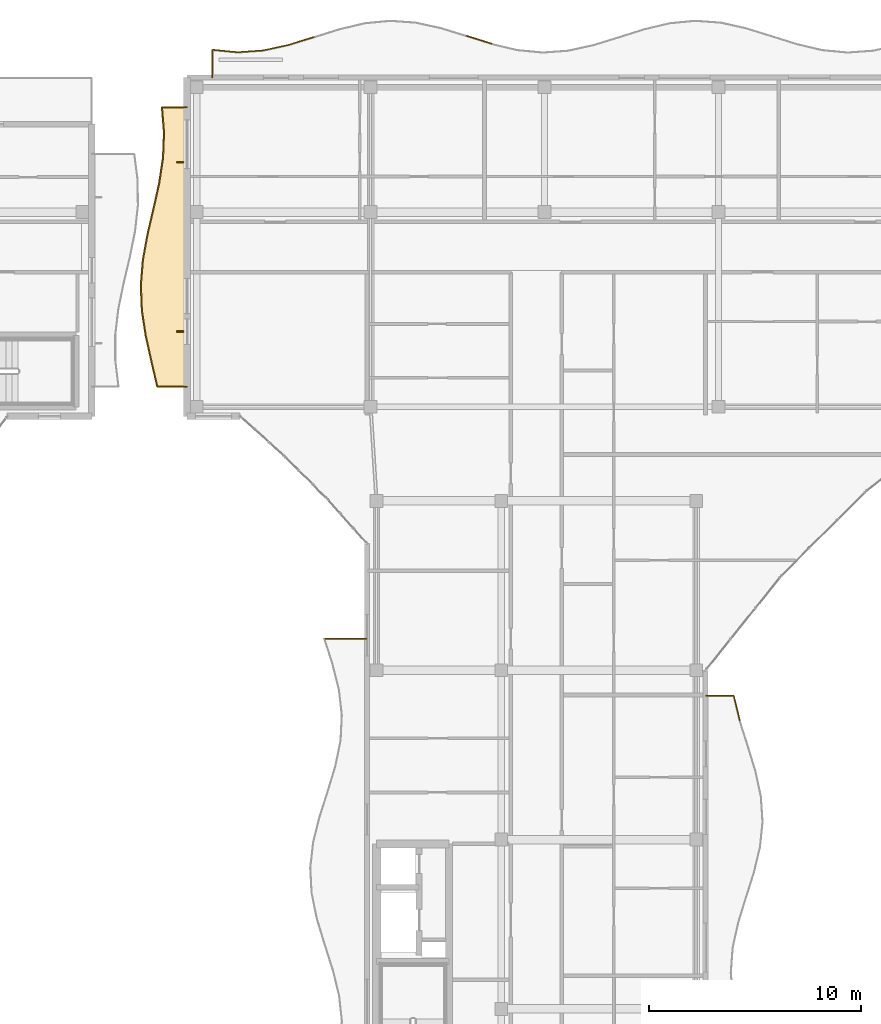
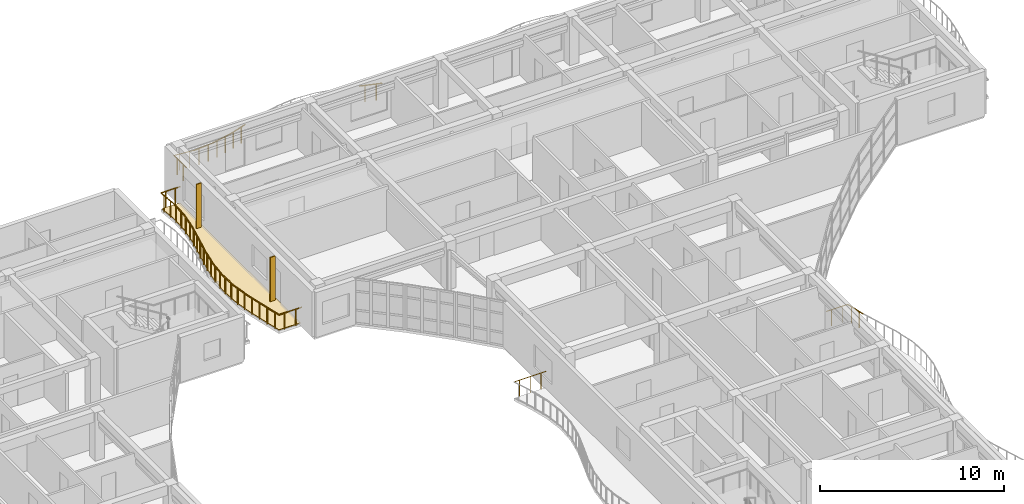
# One storey, part 55 of 71: 22 railings, 2 shading devices, 1 covering.
"""IFC4 building model written with IfcOpenShell, lengths in metres."""

from ifc_helpers import new_model, si_unit, direction, frame, origin, origin_2d, place, context, subcontext, project, spatial, polyline, rectangle, circle, outline, extrude, material, layer, layer_set, type_object, element, save


model = new_model("IFC4")

# Units and contexts
model_context = context("Model", 3, precision=1e-05, world=origin(), true_north=direction((0.0, 1.0)))
body_context = subcontext(model_context, "Body", "Model", "MODEL_VIEW")
ifc_project = project(units=[si_unit("LENGTHUNIT", "METRE"), si_unit("AREAUNIT", "SQUARE_METRE"), si_unit("VOLUMEUNIT", "CUBIC_METRE"), si_unit("PLANEANGLEUNIT", "RADIAN"), si_unit("MASSUNIT", "GRAM", prefix="KILO")], contexts=[model_context])

# Site, building, storey
site_placement = place(None, origin())
site = spatial("IfcSite", under=ifc_project, at=site_placement, CompositionType="ELEMENT")
building_placement = place(site_placement, origin())
building = spatial("IfcBuilding", under=site, at=building_placement, Name="Keldmere Railside Commons", CompositionType="ELEMENT")
storey_placement = place(building_placement, frame((0.0, 0.0, 20.159912109375)))
storey = spatial("IfcBuildingStorey", under=building, at=storey_placement, Name="L06", CompositionType="ELEMENT", Elevation=20.159912109375)

# Railings
ifc_material_1 = material(Name="Steel F-24 (S235)", Category="steel")
railing_type = type_object("IfcRailingType", Name="Balcony & Terrace Steel Balustrade 1100", PredefinedType="BALUSTRADE", material=ifc_material_1)
railing_1_placement = place(storey_placement, frame((40.699951171875, 116.0, 0.0)))
element("IfcRailing", 1, at=railing_1_placement, inside=storey, type_object=railing_type, Name="GR-1 GRD-L06-1435", PredefinedType="BALUSTRADE", context=body_context, shape_type="SweptSolid", body=[
    extrude(circle(Radius=0.02392578125, at=origin_2d()), frame((0.0, 0.0, 1.076171875), z_axis=(0.0, 1.0, 0.0), x_axis=(-1.0, 0.0, 0.0)), (0.0, 0.0, 1.0), 1.3154296875),
    extrude(circle(Radius=0.02099609375, at=origin_2d()), frame((0.0, 0.328857421875, 0.0)), (0.0, 0.0, 1.0), 1.048095703125),
    extrude(circle(Radius=0.02099609375, at=origin_2d()), frame((0.0, 0.986572265625, 0.0)), (0.0, 0.0, 1.0), 1.048095703125),
])
railing_2_placement = place(storey_placement, frame((40.699951171875, 117.3154296875, 0.0)))
element("IfcRailing", 2, at=railing_2_placement, inside=storey, type_object=railing_type, Name="GR-1 GRD-L06-1436", PredefinedType="BALUSTRADE", context=body_context, shape_type="SweptSolid", body=[
    extrude(circle(Radius=0.02392578125, at=origin_2d()), frame((0.0, 0.0, 1.076171875), z_axis=(0.995458988415, -0.095191398689, 0.0), x_axis=(0.095191398689, 0.995458988415, 0.0)), (0.0, 0.0, 1.0), 1.205322265625),
    extrude(circle(Radius=0.02099609375, at=origin_2d()), frame((0.300048828125, -0.02880859375, 0.0)), (0.0, 0.0, 1.0), 1.048095703125),
    extrude(circle(Radius=0.02099609375, at=origin_2d()), frame((0.89990234375, -0.0859375, 0.0)), (0.0, 0.0, 1.0), 1.048095703125),
])
railing_3_placement = place(storey_placement, frame((41.89990234375, 117.20068359375, 0.0)))
element("IfcRailing", 3, at=railing_3_placement, inside=storey, type_object=railing_type, Name="GR-1 GRD-L06-1437", PredefinedType="BALUSTRADE", context=body_context, shape_type="SweptSolid", body=[
    extrude(circle(Radius=0.02392578125, at=origin_2d()), frame((0.0, 0.0, 1.076171875), z_axis=(0.997460759321, 0.071218211253, 0.0), x_axis=(-0.071218211253, 0.997460759321, 0.0)), (0.0, 0.0, 1.0), 1.203369140625),
    extrude(circle(Radius=0.02099609375, at=origin_2d()), frame((0.300048828125, 0.021484375, 0.0)), (0.0, 0.0, 1.0), 1.048095703125),
    extrude(circle(Radius=0.02099609375, at=origin_2d()), frame((0.900146484375, 0.064208984375, 0.0)), (0.0, 0.0, 1.0), 1.048095703125),
])
railing_4_placement = place(storey_placement, frame((43.10009765625, 117.286376953125, 0.0)))
element("IfcRailing", 4, at=railing_4_placement, inside=storey, type_object=railing_type, Name="GR-1 GRD-L06-1438", PredefinedType="BALUSTRADE", context=body_context, shape_type="SweptSolid", body=[
    extrude(circle(Radius=0.02392578125, at=origin_2d()), frame((0.0, 0.0, 1.076171875), z_axis=(0.976698645206, 0.214615368631, 0.0), x_axis=(-0.214615368631, 0.976698645206, 0.0)), (0.0, 0.0, 1.0), 1.228515625),
    extrude(circle(Radius=0.02099609375, at=origin_2d()), frame((0.300048828125, 0.06591796875, 0.0)), (0.0, 0.0, 1.0), 1.048095703125),
    extrude(circle(Radius=0.02099609375, at=origin_2d()), frame((0.89990234375, 0.19775390625, 0.0)), (0.0, 0.0, 1.0), 1.048095703125),
])
railing_5_placement = place(storey_placement, frame((44.300048828125, 117.550048828125, 0.0)))
element("IfcRailing", 5, at=railing_5_placement, inside=storey, type_object=railing_type, Name="GR-1 GRD-L06-1439", PredefinedType="BALUSTRADE", context=body_context, shape_type="SweptSolid", body=[
    extrude(circle(Radius=0.02392578125, at=origin_2d()), frame((0.0, 0.0, 1.076171875), z_axis=(0.955412612016, 0.295274009695, 0.0), x_axis=(-0.295274009695, 0.955412612016, 0.0)), (0.0, 0.0, 1.0), 1.255859375),
    extrude(circle(Radius=0.02099609375, at=origin_2d()), frame((0.300048828125, 0.0927734375, 0.0)), (0.0, 0.0, 1.0), 1.048095703125),
    extrude(circle(Radius=0.02099609375, at=origin_2d()), frame((0.89990234375, 0.278076171875, 0.0)), (0.0, 0.0, 1.0), 1.048095703125),
])
railing_6_placement = place(storey_placement, frame((52.699951171875, 117.97900390625, 0.0)))
element("IfcRailing", 6, at=railing_6_placement, inside=storey, type_object=railing_type, Name="GR-1 GRD-L06-1446", PredefinedType="BALUSTRADE", context=body_context, shape_type="SweptSolid", body=[
    extrude(circle(Radius=0.02392578125, at=origin_2d()), frame((0.0, 0.0, 1.076171875), z_axis=(0.953699895739, -0.300759885736, 0.0), x_axis=(0.300759885736, 0.953699895739, 0.0)), (0.0, 0.0, 1.0), 1.25830078125),
    extrude(circle(Radius=0.02099609375, at=origin_2d()), frame((0.300048828125, -0.0947265625, 0.0)), (0.0, 0.0, 1.0), 1.048095703125),
    extrude(circle(Radius=0.02099609375, at=origin_2d()), frame((0.89990234375, -0.28369140625, 0.0)), (0.0, 0.0, 1.0), 1.048095703125),
])
railing_7_placement = place(storey_placement, frame((65.620849609375, 85.609130859375, 0.0)))
element("IfcRailing", 7, at=railing_7_placement, inside=storey, type_object=railing_type, Name="GR-1 GRD-L06-1492", PredefinedType="BALUSTRADE", context=body_context, shape_type="SweptSolid", body=[
    extrude(circle(Radius=0.02392578125, at=origin_2d()), frame((0.0, 0.0, 1.076171875), z_axis=(-0.23756583201, 0.971371440522, 0.0), x_axis=(-0.971371440522, -0.23756583201, 0.0)), (0.0, 0.0, 1.0), 1.22607421875),
    extrude(circle(Radius=0.02099609375, at=origin_2d()), frame((-0.07275390625, 0.2978515625, 0.0)), (0.0, 0.0, 1.0), 1.048095703125),
    extrude(circle(Radius=0.02099609375, at=origin_2d()), frame((-0.218505859375, 0.89306640625, 0.0)), (0.0, 0.0, 1.0), 1.048095703125),
])
railing_8_placement = place(storey_placement, frame((65.32958984375, 86.800048828125, 0.0)))
element("IfcRailing", 8, at=railing_8_placement, inside=storey, type_object=railing_type, Name="GR-1 GRD-L06-1493", PredefinedType="BALUSTRADE", context=body_context, shape_type="SweptSolid", body=[
    extrude(circle(Radius=0.02392578125, at=origin_2d()), frame((0.0, 0.0, 1.076171875), z_axis=(-1.0, 0.0, 0.0), x_axis=(0.0, -1.0, 0.0)), (0.0, 0.0, 1.0), 1.32958984375),
    extrude(circle(Radius=0.02099609375, at=origin_2d()), frame((-0.33251953125, 0.0, 0.0)), (0.0, 0.0, 1.0), 1.048095703125),
    extrude(circle(Radius=0.02099609375, at=origin_2d()), frame((-0.9970703125, 0.0, 0.0)), (0.0, 0.0, 1.0), 1.048095703125),
])
railing_9_placement = place(storey_placement, frame((45.96728515625, 89.5, 0.0)))
element("IfcRailing", 9, at=railing_9_placement, inside=storey, type_object=railing_type, Name="GR-1 GRD-L06-1519", PredefinedType="BALUSTRADE", context=body_context, shape_type="SweptSolid", body=[
    extrude(circle(Radius=0.02392578125, at=origin_2d()), frame((0.0, 0.0, 1.076171875), z_axis=(1.0, 0.0, 0.0), x_axis=(0.0, 1.0, 0.0)), (0.0, 0.0, 1.0), 2.03271484375),
    extrude(circle(Radius=0.02099609375, at=origin_2d()), frame((0.3388671875, 0.0, 0.0)), (0.0, 0.0, 1.0), 1.048095703125),
    extrude(circle(Radius=0.02099609375, at=origin_2d()), frame((1.016357421875, 0.0, 0.0)), (0.0, 0.0, 1.0), 1.048095703125),
    extrude(circle(Radius=0.02099609375, at=origin_2d()), frame((1.69384765625, 0.0, 0.0)), (0.0, 0.0, 1.0), 1.048095703125),
])
railing_10_placement = place(storey_placement, frame((39.5, 101.39990234375, 0.0)))
element("IfcRailing", 10, at=railing_10_placement, inside=storey, type_object=railing_type, Name="GR-1 GRD-L06-1533", PredefinedType="BALUSTRADE", context=body_context, shape_type="SweptSolid", body=[
    extrude(circle(Radius=0.02392578125, at=origin_2d()), frame((0.0, 0.0, 1.076171875), z_axis=(-1.0, 0.0, 0.0), x_axis=(0.0, -1.0, 0.0)), (0.0, 0.0, 1.0), 1.419189453125),
    extrude(circle(Radius=0.02099609375, at=origin_2d()), frame((-0.354736328125, 0.0, 0.0)), (0.0, 0.0, 1.0), 1.048095703125),
    extrude(circle(Radius=0.02099609375, at=origin_2d()), frame((-1.064453125, 0.0, 0.0)), (0.0, 0.0, 1.0), 1.048095703125),
])
railing_11_placement = place(storey_placement, frame((38.080810546875, 101.39990234375, 0.0)))
element("IfcRailing", 11, at=railing_11_placement, inside=storey, type_object=railing_type, Name="GR-1 GRD-L06-1534", PredefinedType="BALUSTRADE", context=body_context, shape_type="SweptSolid", body=[
    extrude(circle(Radius=0.02392578125, at=origin_2d()), frame((0.0, 0.0, 1.076171875), z_axis=(-0.227592779439, 0.973756400106, 0.0), x_axis=(-0.973756400106, -0.227592779439, 0.0)), (0.0, 0.0, 1.0), 1.232421875),
    extrude(circle(Radius=0.02099609375, at=origin_2d()), frame((-0.070068359375, 0.300048828125, 0.0)), (0.0, 0.0, 1.0), 1.048095703125),
    extrude(circle(Radius=0.02099609375, at=origin_2d()), frame((-0.21044921875, 0.900146484375, 0.0)), (0.0, 0.0, 1.0), 1.048095703125),
])
railing_12_placement = place(storey_placement, frame((37.80029296875, 102.60009765625, 0.0)))
element("IfcRailing", 12, at=railing_12_placement, inside=storey, type_object=railing_type, Name="GR-1 GRD-L06-1535", PredefinedType="BALUSTRADE", context=body_context, shape_type="SweptSolid", body=[
    extrude(circle(Radius=0.02392578125, at=origin_2d()), frame((0.0, 0.0, 1.076171875), z_axis=(-0.217266894367, 0.976112235663, 0.0), x_axis=(-0.976112235663, -0.217266894367, 0.0)), (0.0, 0.0, 1.0), 1.229248046875),
    extrude(circle(Radius=0.02099609375, at=origin_2d()), frame((-0.06689453125, 0.300048828125, 0.0)), (0.0, 0.0, 1.0), 1.048095703125),
    extrude(circle(Radius=0.02099609375, at=origin_2d()), frame((-0.2001953125, 0.89990234375, 0.0)), (0.0, 0.0, 1.0), 1.048095703125),
])
railing_13_placement = place(storey_placement, frame((37.533203125, 103.800048828125, 0.0)))
element("IfcRailing", 13, at=railing_13_placement, inside=storey, type_object=railing_type, Name="GR-1 GRD-L06-1536", PredefinedType="BALUSTRADE", context=body_context, shape_type="SweptSolid", body=[
    extrude(circle(Radius=0.02392578125, at=origin_2d()), frame((0.0, 0.0, 1.076171875), z_axis=(-0.15025821956, 0.988646785993, 0.0), x_axis=(-0.988646785993, -0.15025821956, 0.0)), (0.0, 0.0, 1.0), 1.213623046875),
    extrude(circle(Radius=0.02099609375, at=origin_2d()), frame((-0.045654296875, 0.300048828125, 0.0)), (0.0, 0.0, 1.0), 1.048095703125),
    extrude(circle(Radius=0.02099609375, at=origin_2d()), frame((-0.13671875, 0.89990234375, 0.0)), (0.0, 0.0, 1.0), 1.048095703125),
])
railing_14_placement = place(storey_placement, frame((37.350830078125, 105.0, 0.0)))
element("IfcRailing", 14, at=railing_14_placement, inside=storey, type_object=railing_type, Name="GR-1 GRD-L06-1537", PredefinedType="BALUSTRADE", context=body_context, shape_type="SweptSolid", body=[
    extrude(circle(Radius=0.02392578125, at=origin_2d()), frame((0.0, 0.0, 1.076171875), z_axis=(-0.040455155578, 0.999181355104, 0.0), x_axis=(-0.999181355104, -0.040455155578, 0.0)), (0.0, 0.0, 1.0), 1.200927734375),
    extrude(circle(Radius=0.02099609375, at=origin_2d()), frame((-0.01220703125, 0.300048828125, 0.0)), (0.0, 0.0, 1.0), 1.048095703125),
    extrude(circle(Radius=0.02099609375, at=origin_2d()), frame((-0.036376953125, 0.89990234375, 0.0)), (0.0, 0.0, 1.0), 1.048095703125),
])
railing_15_placement = place(storey_placement, frame((37.30224609375, 106.199951171875, 0.0)))
element("IfcRailing", 15, at=railing_15_placement, inside=storey, type_object=railing_type, Name="GR-1 GRD-L06-1538", PredefinedType="BALUSTRADE", context=body_context, shape_type="SweptSolid", body=[
    extrude(circle(Radius=0.02392578125, at=origin_2d()), frame((0.0, 0.0, 1.076171875), z_axis=(0.08151822668, 0.996671851072, 0.0), x_axis=(-0.996671851072, 0.08151822668, 0.0)), (0.0, 0.0, 1.0), 1.203857421875),
    extrude(circle(Radius=0.02099609375, at=origin_2d()), frame((0.0244140625, 0.300048828125, 0.0)), (0.0, 0.0, 1.0), 1.048095703125),
    extrude(circle(Radius=0.02099609375, at=origin_2d()), frame((0.07373046875, 0.89990234375, 0.0)), (0.0, 0.0, 1.0), 1.048095703125),
])
railing_16_placement = place(storey_placement, frame((37.400390625, 107.39990234375, 0.0)))
element("IfcRailing", 16, at=railing_16_placement, inside=storey, type_object=railing_type, Name="GR-1 GRD-L06-1539", PredefinedType="BALUSTRADE", context=body_context, shape_type="SweptSolid", body=[
    extrude(circle(Radius=0.02392578125, at=origin_2d()), frame((0.0, 0.0, 1.076171875), z_axis=(0.179308076446, 0.983792972999, 0.0), x_axis=(-0.983792972999, 0.179308076446, 0.0)), (0.0, 0.0, 1.0), 1.219970703125),
    extrude(circle(Radius=0.02099609375, at=origin_2d()), frame((0.0546875, 0.300048828125, 0.0)), (0.0, 0.0, 1.0), 1.048095703125),
    extrude(circle(Radius=0.02099609375, at=origin_2d()), frame((0.1640625, 0.900146484375, 0.0)), (0.0, 0.0, 1.0), 1.048095703125),
])
railing_17_placement = place(storey_placement, frame((37.619140625, 108.60009765625, 0.0)))
element("IfcRailing", 17, at=railing_17_placement, inside=storey, type_object=railing_type, Name="GR-1 GRD-L06-1540", PredefinedType="BALUSTRADE", context=body_context, shape_type="SweptSolid", body=[
    extrude(circle(Radius=0.02392578125, at=origin_2d()), frame((0.0, 0.0, 1.076171875), z_axis=(0.227636685931, 0.973746136947, 0.0), x_axis=(-0.973746136947, 0.227636685931, 0.0)), (0.0, 0.0, 1.0), 1.232421875),
    extrude(circle(Radius=0.02099609375, at=origin_2d()), frame((0.070068359375, 0.300048828125, 0.0)), (0.0, 0.0, 1.0), 1.048095703125),
    extrude(circle(Radius=0.02099609375, at=origin_2d()), frame((0.21044921875, 0.89990234375, 0.0)), (0.0, 0.0, 1.0), 1.048095703125),
])
railing_18_placement = place(storey_placement, frame((37.899658203125, 109.800048828125, 0.0)))
element("IfcRailing", 18, at=railing_18_placement, inside=storey, type_object=railing_type, Name="GR-1 GRD-L06-1541", PredefinedType="BALUSTRADE", context=body_context, shape_type="SweptSolid", body=[
    extrude(circle(Radius=0.02392578125, at=origin_2d()), frame((0.0, 0.0, 1.076171875), z_axis=(0.217456105912, 0.976070100967, 0.0), x_axis=(-0.976070100967, 0.217456105912, 0.0)), (0.0, 0.0, 1.0), 1.229248046875),
    extrude(circle(Radius=0.02099609375, at=origin_2d()), frame((0.06689453125, 0.300048828125, 0.0)), (0.0, 0.0, 1.0), 1.048095703125),
    extrude(circle(Radius=0.02099609375, at=origin_2d()), frame((0.200439453125, 0.89990234375, 0.0)), (0.0, 0.0, 1.0), 1.048095703125),
])
railing_19_placement = place(storey_placement, frame((38.1669921875, 111.0, 0.0)))
element("IfcRailing", 19, at=railing_19_placement, inside=storey, type_object=railing_type, Name="GR-1 GRD-L06-1542", PredefinedType="BALUSTRADE", context=body_context, shape_type="SweptSolid", body=[
    extrude(circle(Radius=0.02392578125, at=origin_2d()), frame((0.0, 0.0, 1.076171875), z_axis=(0.150061603207, 0.988676648477, 0.0), x_axis=(-0.988676648477, 0.150061603207, 0.0)), (0.0, 0.0, 1.0), 1.213623046875),
    extrude(circle(Radius=0.02099609375, at=origin_2d()), frame((0.04541015625, 0.300048828125, 0.0)), (0.0, 0.0, 1.0), 1.048095703125),
    extrude(circle(Radius=0.02099609375, at=origin_2d()), frame((0.13671875, 0.89990234375, 0.0)), (0.0, 0.0, 1.0), 1.048095703125),
])
railing_20_placement = place(storey_placement, frame((38.34912109375, 112.199951171875, 0.0)))
element("IfcRailing", 20, at=railing_20_placement, inside=storey, type_object=railing_type, Name="GR-1 GRD-L06-1543", PredefinedType="BALUSTRADE", context=body_context, shape_type="SweptSolid", body=[
    extrude(circle(Radius=0.02392578125, at=origin_2d()), frame((0.0, 0.0, 1.076171875), z_axis=(0.040455155578, 0.999181355104, 0.0), x_axis=(-0.999181355104, 0.040455155578, 0.0)), (0.0, 0.0, 1.0), 1.200927734375),
    extrude(circle(Radius=0.02099609375, at=origin_2d()), frame((0.01220703125, 0.300048828125, 0.0)), (0.0, 0.0, 1.0), 1.048095703125),
    extrude(circle(Radius=0.02099609375, at=origin_2d()), frame((0.036376953125, 0.89990234375, 0.0)), (0.0, 0.0, 1.0), 1.048095703125),
])
railing_21_placement = place(storey_placement, frame((38.397705078125, 113.39990234375, 0.0)))
element("IfcRailing", 21, at=railing_21_placement, inside=storey, type_object=railing_type, Name="GR-1 GRD-L06-1544", PredefinedType="BALUSTRADE", context=body_context, shape_type="SweptSolid", body=[
    extrude(circle(Radius=0.02392578125, at=origin_2d()), frame((0.0, 0.0, 1.076171875), z_axis=(-0.081501754612, 0.996673198192, 0.0), x_axis=(-0.996673198192, -0.081501754612, 0.0)), (0.0, 0.0, 1.0), 1.2041015625),
    extrude(circle(Radius=0.02099609375, at=origin_2d()), frame((-0.0244140625, 0.300048828125, 0.0)), (0.0, 0.0, 1.0), 1.048095703125),
    extrude(circle(Radius=0.02099609375, at=origin_2d()), frame((-0.07373046875, 0.900146484375, 0.0)), (0.0, 0.0, 1.0), 1.048095703125),
])
railing_22_placement = place(storey_placement, frame((38.299560546875, 114.60009765625, 0.0)))
element("IfcRailing", 22, at=railing_22_placement, inside=storey, type_object=railing_type, Name="GR-1 GRD-L06-1545", PredefinedType="BALUSTRADE", context=body_context, shape_type="SweptSolid", body=[
    extrude(circle(Radius=0.02392578125, at=origin_2d()), frame((0.0, 0.0, 1.076171875), z_axis=(1.0, 0.0, 0.0), x_axis=(0.0, 1.0, 0.0)), (0.0, 0.0, 1.0), 1.200439453125),
    extrude(circle(Radius=0.02099609375, at=origin_2d()), frame((0.300048828125, 0.0, 0.0)), (0.0, 0.0, 1.0), 1.048095703125),
    extrude(circle(Radius=0.02099609375, at=origin_2d()), frame((0.900390625, 0.0, 0.0)), (0.0, 0.0, 1.0), 1.048095703125),
])

# Shading devices
ifc_layer_1 = layer(ifc_material_1, 0.06005859375, Name="East-West Vertical Brise-Soleil Fin 320x60")
ifc_layer_set_1 = layer_set([ifc_layer_1], Name="Steel F-24 (S235)")
shading_device_type = type_object("IfcShadingDeviceType", Name="East-West Vertical Brise-Soleil Fin 320x60", PredefinedType="USERDEFINED", material=ifc_layer_set_1)
for number, where, z_axis, x_axis, name in (
    (23, (39.181884765625, 104.0, 0.0), (0.0, 0.0, 1.0), (1.0, 0.0, 0.0), "FIN-1 Solar Fin 017"),
    (24, (39.181884765625, 112.0, 0.0), (0.0, 0.0, 1.0), (1.0, 0.0, 0.0), "FIN-1 Solar Fin 018"),
):
    element("IfcShadingDevice", number, at=place(storey_placement, frame(where, z_axis=z_axis, x_axis=x_axis)), inside=storey, type_object=shading_device_type, Name=name, ObjectType="FIN", PredefinedType="USERDEFINED", context=body_context, shape_type="SweptSolid", body=[
        extrude(rectangle(XDim=0.320068359375, YDim=0.06005859375, at=origin_2d()), origin(), (0.0, 0.0, 1.0), 2.97998046875),
    ])

# Covering
ifc_material_2 = material(Name="White Precast Concrete C35/45", Category="concrete")
ifc_layer_2 = layer(ifc_material_2, 0.044921875, Name="White Architectural Balcony Ribbon Cladding 45")
ifc_layer_set_2 = layer_set([ifc_layer_2], Name="White Precast Concrete C35/45")
covering_type = type_object("IfcCoveringType", Name="White Architectural Balcony Ribbon Cladding 45", PredefinedType="FLOORING", material=ifc_layer_set_2)
covering_placement = place(storey_placement, origin())
element("IfcCovering", 25, at=covering_placement, inside=storey, type_object=covering_type, Name="CLG-WB C L06 WW White Balcony Ribbon", PredefinedType="FLOORING", context=body_context, shape_type="SweptSolid", body=[
    extrude(outline(polyline([(39.4599609375, 114.56005859375), (38.343017578125, 114.56005859375), (38.437744140625, 113.4033203125), (38.437744140625, 113.3984375), (38.38916015625, 112.198486328125), (38.388671875, 112.194091796875), (38.206298828125, 110.993896484375), (38.205810546875, 110.9912109375), (37.938720703125, 109.791259765625), (37.938720703125, 109.791015625), (37.658203125, 108.591796875), (37.440185546875, 107.394775390625), (37.34228515625, 106.19921875), (37.390625, 105.00390625), (37.572509765625, 103.807373046875), (37.83935546875, 102.60888671875), (38.112548828125, 101.43994140625), (39.4599609375, 101.43994140625), (39.4599609375, 114.56005859375)])), origin(), (0.0, 0.0, 1.0), 0.045166015625),
])

save(model, "model.ifc")
